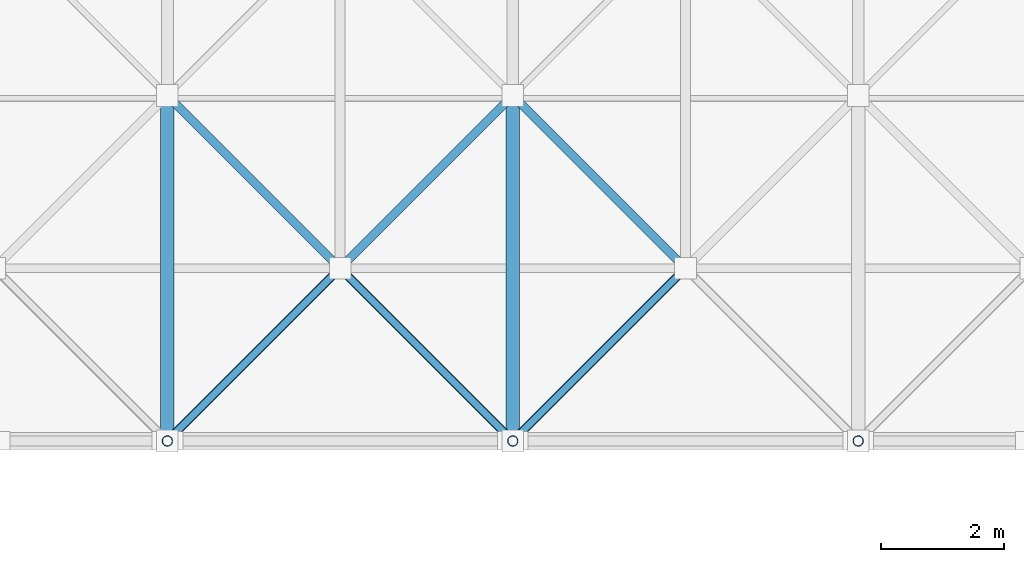
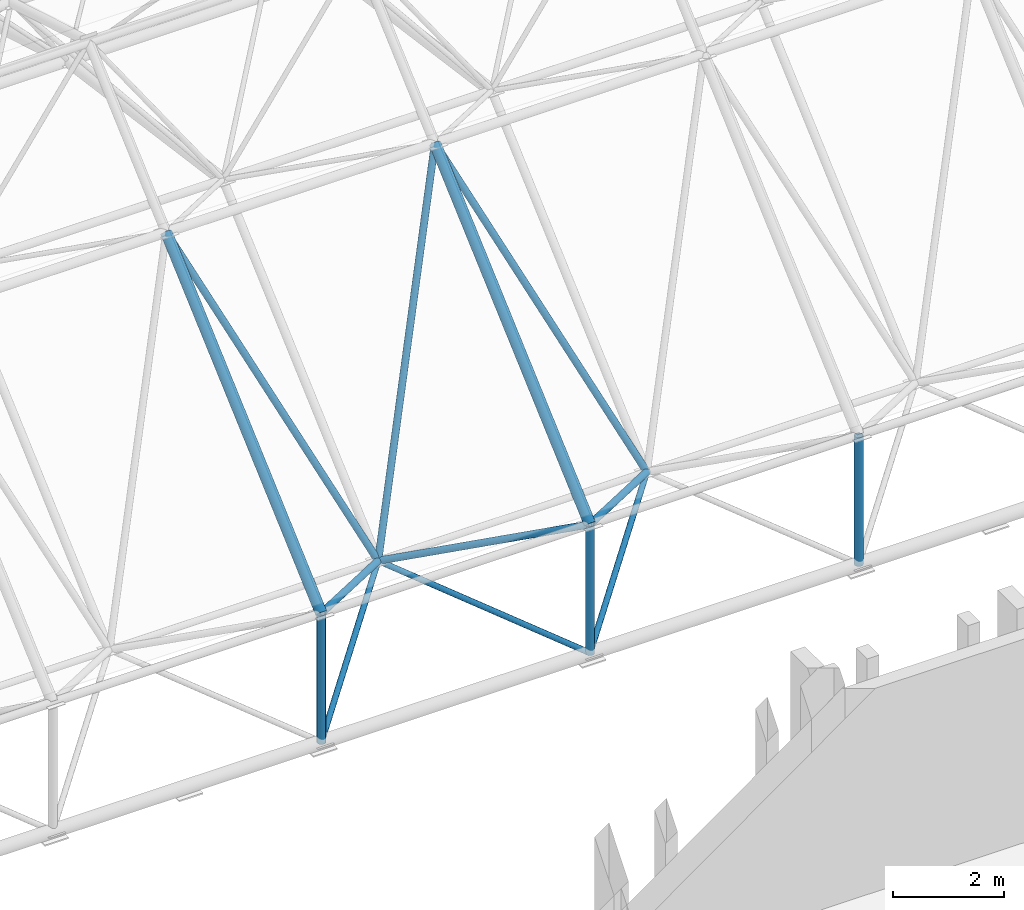
# One storey, part 33 of 100: 14 members.
"""IFC4 building model written with IfcOpenShell, lengths in metres."""

from ifc_helpers import new_model, si_unit, direction, frame, origin, origin_2d, place, context, subcontext, project, spatial, hollow_circle, extrude, material, material_profile, profile_set, type_object, element, save


model = new_model("IFC4")

# Units and contexts
model_context = context("Model", 3, precision=1e-05, world=origin(), true_north=direction((0.0, 1.0)))
body_context = subcontext(model_context, "Body", "Model", "MODEL_VIEW")
ifc_project = project(units=[si_unit("LENGTHUNIT", "METRE"), si_unit("AREAUNIT", "SQUARE_METRE"), si_unit("VOLUMEUNIT", "CUBIC_METRE"), si_unit("PLANEANGLEUNIT", "RADIAN"), si_unit("MASSUNIT", "GRAM", prefix="KILO")], contexts=[model_context])

# Site, building, storey
site_placement = place(None, origin())
site = spatial("IfcSite", under=ifc_project, at=site_placement, CompositionType="ELEMENT")
building_placement = place(site_placement, origin())
building = spatial("IfcBuilding", under=site, at=building_placement, Name="Kiln Court Media Centre", CompositionType="ELEMENT")
storey_placement = place(building_placement, frame((0.0, 0.0, 15.0)))
storey = spatial("IfcBuildingStorey", under=building, at=storey_placement, Name="L03", CompositionType="ELEMENT", Elevation=15.0)

# Members
ifc_material_1 = material(Name="Steel ASTM A500 Gr C", Category="steel")
ifc_material_profile_1 = material_profile(ifc_material_1, hollow_circle(Radius=0.05712890625, WallThickness=0.0048828125, at=origin_2d()), Name="CHS 114.3x5.0")
ifc_profile_set_1 = profile_set([ifc_material_profile_1], Name="Steel ASTM A500 Gr C")
member_type_1 = type_object("IfcMemberType", Name="Steel ASTM A500 Gr C CHS 114.3x5.0 space frame brace", PredefinedType="BRACE", material=ifc_profile_set_1)
for number, where, z_axis, x_axis, name in (
    (1, (128.800048828125, 33.60009765625, 0.16455078125), (0.671163096856, 0.671104577098, 0.314894814211), (-0.707075952299, 0.70713760873, 0.0), "V2 roof bearing tie first 3 space frame brace"),
    (2, (134.39990234375, 33.60009765625, 0.16455078125), (-0.671130936008, 0.671130936008, 0.314907182304), (-0.707106781187, -0.707106781187, 0.0), "V2 roof bearing tie first 4 space frame brace"),
    (3, (134.39990234375, 33.60009765625, 0.16455078125), (0.671163096856, 0.671104577098, 0.314894814211), (-0.707075952299, 0.70713760873, 0.0), "V2 roof bearing tie first 4 space frame brace"),
):
    element("IfcMember", number, at=place(storey_placement, frame(where, z_axis=z_axis, x_axis=x_axis)), inside=storey, type_object=member_type_1, Name=name, PredefinedType="BRACE", context=body_context, shape_type="SweptSolid", body=[
        extrude(hollow_circle(Radius=0.05712890625, WallThickness=0.0048828125, at=origin_2d()), origin(), (0.0, 0.0, 1.0), 4.171875),
    ])
ifc_material_2 = material(Name="Steel ASTM A500 Gr C", Category="steel")
ifc_material_profile_2 = material_profile(ifc_material_2, hollow_circle(Radius=0.06982421875, WallThickness=0.0048828125, at=origin_2d()), Name="CHS 139.7x5.0")
ifc_profile_set_2 = profile_set([ifc_material_profile_2], Name="Steel ASTM A500 Gr C")
member_type_2 = type_object("IfcMemberType", Name="Steel ASTM A500 Gr C CHS 139.7x5.0 space frame brace", PredefinedType="BRACE", material=ifc_profile_set_2)
member_1_placement = place(storey_placement, frame((131.60009765625, 36.39990234375, 1.478271484375), z_axis=(-0.660072502799, -0.660014950047, 0.358726297841), x_axis=(0.707075952299, -0.70713760873, 0.0)))
element("IfcMember", 4, at=member_1_placement, inside=storey, type_object=member_type_2, Name="V2 roof diagonal 1-3 space frame brace", PredefinedType="BRACE", context=body_context, shape_type="SweptSolid", body=[
    extrude(hollow_circle(Radius=0.06982421875, WallThickness=0.0048828125, at=origin_2d()), origin(), (0.0, 0.0, 1.0), 4.241943359375),
])
member_2_placement = place(storey_placement, frame((131.60009765625, 36.39990234375, 1.478271484375), z_axis=(-0.366989625659, 0.366989625659, 0.854773203439), x_axis=(-0.707106781187, -0.707106781187, 0.0)))
element("IfcMember", 5, at=member_2_placement, inside=storey, type_object=member_type_2, Name="V2 roof diagonal 1-3 space frame brace", PredefinedType="BRACE", context=body_context, shape_type="SweptSolid", body=[
    extrude(hollow_circle(Radius=0.06982421875, WallThickness=0.0048828125, at=origin_2d()), origin(), (0.0, 0.0, 1.0), 7.6298828125),
])
member_3_placement = place(storey_placement, frame((131.60009765625, 36.39990234375, 1.478271484375), z_axis=(0.660040023683, -0.660040023683, 0.358739925673), x_axis=(0.707106781187, 0.707106781187, 0.0)))
element("IfcMember", 6, at=member_3_placement, inside=storey, type_object=member_type_2, Name="V2 roof diagonal 1-3 space frame brace", PredefinedType="BRACE", context=body_context, shape_type="SweptSolid", body=[
    extrude(hollow_circle(Radius=0.06982421875, WallThickness=0.0048828125, at=origin_2d()), origin(), (0.0, 0.0, 1.0), 4.241943359375),
])
member_4_placement = place(storey_placement, frame((131.60009765625, 36.39990234375, 1.478271484375), z_axis=(0.366961936362, 0.366993935136, 0.854783240848), x_axis=(-0.70713760873, 0.707075952299, 0.0)))
element("IfcMember", 7, at=member_4_placement, inside=storey, type_object=member_type_2, Name="V2 roof diagonal 1-3 space frame brace", PredefinedType="BRACE", context=body_context, shape_type="SweptSolid", body=[
    extrude(hollow_circle(Radius=0.06982421875, WallThickness=0.0048828125, at=origin_2d()), origin(), (0.0, 0.0, 1.0), 7.629638671875),
])
member_5_placement = place(storey_placement, frame((137.199951171875, 36.39990234375, 1.478271484375), z_axis=(-0.660072502799, -0.660014950047, 0.358726297841), x_axis=(0.707075952299, -0.70713760873, 0.0)))
element("IfcMember", 8, at=member_5_placement, inside=storey, type_object=member_type_2, Name="V2 roof diagonal 1-4 space frame brace", PredefinedType="BRACE", context=body_context, shape_type="SweptSolid", body=[
    extrude(hollow_circle(Radius=0.06982421875, WallThickness=0.0048828125, at=origin_2d()), origin(), (0.0, 0.0, 1.0), 4.241943359375),
])
member_6_placement = place(storey_placement, frame((137.199951171875, 36.39990234375, 1.478271484375), z_axis=(-0.366989625659, 0.366989625659, 0.854773203439), x_axis=(-0.707106781187, -0.707106781187, 0.0)))
element("IfcMember", 9, at=member_6_placement, inside=storey, type_object=member_type_2, Name="V2 roof diagonal 1-4 space frame brace", PredefinedType="BRACE", context=body_context, shape_type="SweptSolid", body=[
    extrude(hollow_circle(Radius=0.06982421875, WallThickness=0.0048828125, at=origin_2d()), origin(), (0.0, 0.0, 1.0), 7.6298828125),
])
ifc_material_3 = material(Name="Steel ASTM A500 Gr C", Category="steel")
ifc_material_profile_3 = material_profile(ifc_material_3, hollow_circle(Radius=0.084228515625, WallThickness=0.00634765625, at=origin_2d()), Name="CHS 168.3x6.3")
ifc_profile_set_3 = profile_set([ifc_material_profile_3], Name="Steel ASTM A500 Gr C")
member_type_3 = type_object("IfcMemberType", Name="Steel ASTM A500 Gr C CHS 168.3x6.3 space frame strut", PredefinedType="STRUT", material=ifc_profile_set_3)
for number, where, z_axis, x_axis, name in (
    (10, (128.800048828125, 33.60009765625, 0.16455078125), (0.0, 0.0, 1.0), (1.0, 0.0, 0.0), "V2 roof bearing post first 3 space frame strut"),
    (11, (134.39990234375, 33.60009765625, 0.16455078125), (0.0, 0.0, 1.0), (1.0, 0.0, 0.0), "V2 roof bearing post first 4 space frame strut"),
    (12, (140.0, 33.60009765625, 0.16455078125), (0.0, 0.0, 1.0), (1.0, 0.0, 0.0), "V2 roof bearing post first 5 space frame strut"),
):
    element("IfcMember", number, at=place(storey_placement, frame(where, z_axis=z_axis, x_axis=x_axis)), inside=storey, type_object=member_type_3, Name=name, PredefinedType="STRUT", context=body_context, shape_type="SweptSolid", body=[
        extrude(hollow_circle(Radius=0.084228515625, WallThickness=0.00634765625, at=origin_2d()), origin(), (0.0, 0.0, 1.0), 2.83544921875),
    ])
ifc_material_4 = material(Name="Steel ASTM A500 Gr C", Category="steel")
ifc_material_profile_4 = material_profile(ifc_material_4, hollow_circle(Radius=0.109619140625, WallThickness=0.008056640625, at=origin_2d()), Name="CHS 219.1x8.0")
ifc_profile_set_4 = profile_set([ifc_material_profile_4], Name="Steel ASTM A500 Gr C")
member_type_4 = type_object("IfcMemberType", Name="Steel ASTM A500 Gr C CHS 219.1x8.0 space frame chord", PredefinedType="CHORD", material=ifc_profile_set_4)
for number, where, z_axis, x_axis, name in (
    (13, (128.800048828125, 33.60009765625, 3.0), (0.0, 0.745929006282, 0.666025463167), (-1.0, 0.0, 0.0), "V2 roof top chord across line 3 space frame chord"),
    (14, (134.39990234375, 33.60009765625, 3.0), (0.0, 0.745929006282, 0.666025463167), (-1.0, 0.0, 0.0), "V2 roof top chord across line 4 space frame chord"),
):
    element("IfcMember", number, at=place(storey_placement, frame(where, z_axis=z_axis, x_axis=x_axis)), inside=storey, type_object=member_type_4, Name=name, PredefinedType="CHORD", context=body_context, shape_type="SweptSolid", body=[
        extrude(hollow_circle(Radius=0.109619140625, WallThickness=0.008056640625, at=origin_2d()), origin(), (0.0, 0.0, 1.0), 7.50732421875),
    ])

save(model, "model.ifc")
